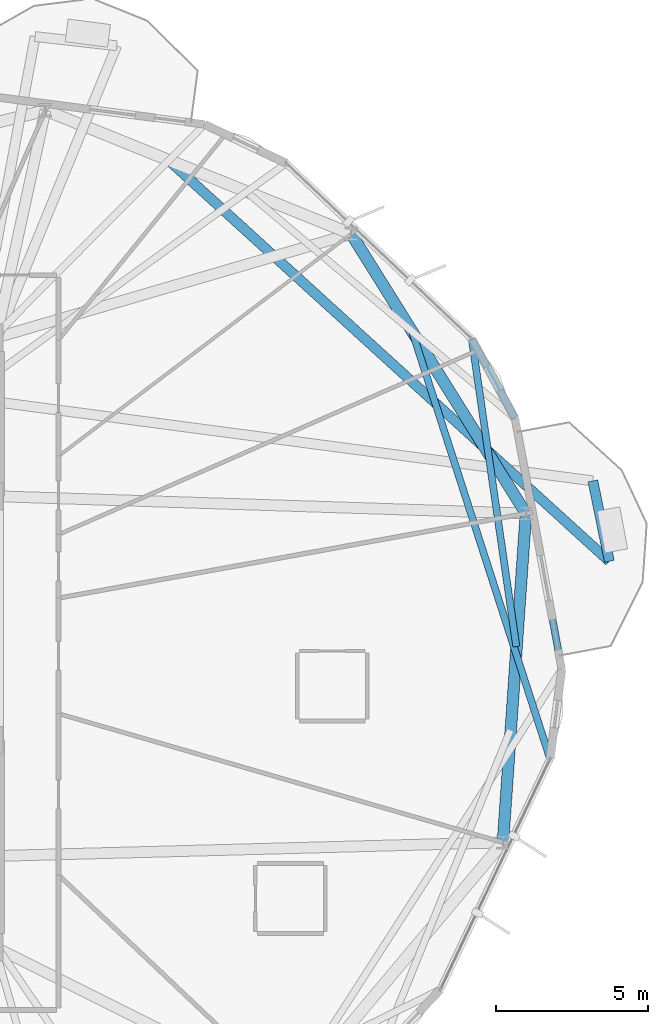
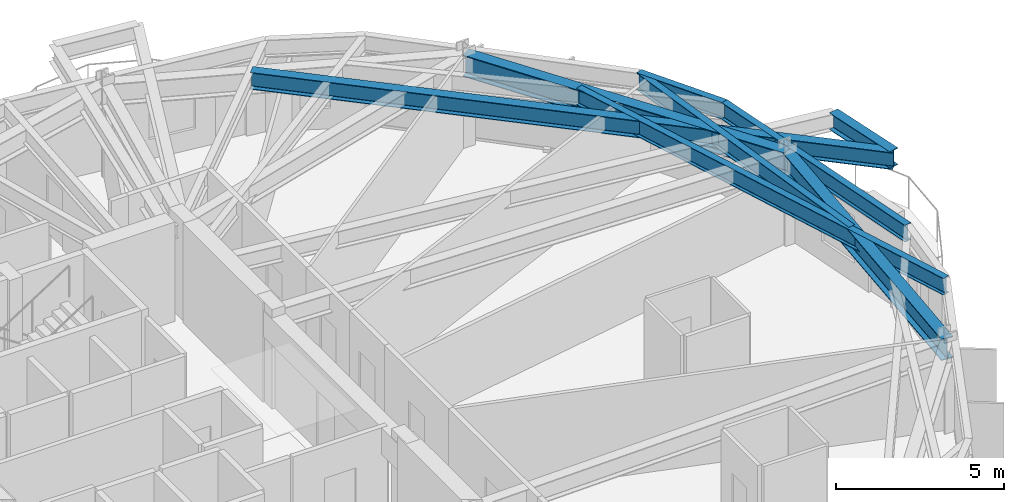
# One storey, part 11 of 23: 8 beams.
"""IFC4 building model written with IfcOpenShell, lengths in metres."""

from ifc_helpers import new_model, si_unit, direction, frame, origin, origin_2d, place, context, subcontext, project, spatial, i_section, extrude, material, material_profile, profile_set, type_object, element, save


model = new_model("IFC4")

# Units and contexts
model_context = context("Model", 3, precision=1e-05, world=origin(), true_north=direction((0.0, 1.0)))
body_context = subcontext(model_context, "Body", "Model", "MODEL_VIEW")
ifc_project = project(units=[si_unit("LENGTHUNIT", "METRE"), si_unit("AREAUNIT", "SQUARE_METRE"), si_unit("VOLUMEUNIT", "CUBIC_METRE"), si_unit("PLANEANGLEUNIT", "RADIAN"), si_unit("MASSUNIT", "GRAM", prefix="KILO")], contexts=[model_context])

# Site, building, storey
site_placement = place(None, origin())
site = spatial("IfcSite", under=ifc_project, at=site_placement, CompositionType="ELEMENT")
building_placement = place(site_placement, origin())
building = spatial("IfcBuilding", under=site, at=building_placement, Name="Soratama Intermodal Tower", CompositionType="ELEMENT")
storey_placement = place(building_placement, frame((0.0, 0.0, 139.0)))
storey = spatial("IfcBuildingStorey", under=building, at=storey_placement, Name="L33", CompositionType="ELEMENT", Elevation=139.0)

# Beams
ifc_material_1 = material(Name="Structural steel ASTM A992 Grade 50", Category="steel")
ifc_material_profile_1 = material_profile(ifc_material_1, i_section(OverallWidth=0.324951171875, OverallDepth=0.615966796875, WebThickness=0.013916015625, FlangeThickness=0.021484375, FilletRadius=0.013916015625, at=origin_2d()), Name="W24X117")
ifc_profile_set_1 = profile_set([ifc_material_profile_1], Name="Structural steel ASTM A992 Grade 50")
beam_type_1 = type_object("IfcBeamType", Name="BM-CANT-W24X117", PredefinedType="BEAM", material=ifc_profile_set_1)
beam_1_placement = place(storey_placement, frame((64.717041015625, 27.6650390625, 2.991943359375), z_axis=(-0.200837101372, 0.979624651952, 0.0), x_axis=(-0.979624651952, -0.200837101372, 0.0)))
element("IfcBeam", 1, at=beam_1_placement, inside=storey, type_object=beam_type_1, Name="BM-L33-CBHDR-1", PredefinedType="BEAM", context=body_context, shape_type="SweptSolid", body=[
    extrude(i_section(OverallWidth=0.324951171875, OverallDepth=0.615966796875, WebThickness=0.013916015625, FlangeThickness=0.021484375, FilletRadius=0.013916015625, at=origin_2d()), origin(), (0.0, 0.0, 1.0), 2.69384765625),
])
beam_2_placement = place(storey_placement, frame((50.281005859375, 40.802001953125, 2.991943359375), z_axis=(0.739600960346, -0.673045629549, 0.0), x_axis=(0.673045629549, 0.739600960346, 0.0)))
element("IfcBeam", 2, at=beam_2_placement, inside=storey, type_object=beam_type_1, Name="BM-L33-CANT-1-1", PredefinedType="BEAM", context=body_context, shape_type="SweptSolid", body=[
    extrude(i_section(OverallWidth=0.324951171875, OverallDepth=0.615966796875, WebThickness=0.013916015625, FlangeThickness=0.021484375, FilletRadius=0.013916015625, at=origin_2d()), origin(), (0.0, 0.0, 1.0), 19.518798828125),
])
ifc_material_2 = material(Name="Structural steel ASTM A992 Grade 50", Category="steel")
ifc_material_profile_2 = material_profile(ifc_material_2, i_section(OverallWidth=0.382080078125, OverallDepth=0.779052734375, WebThickness=0.01806640625, FlangeThickness=0.030029296875, FilletRadius=0.01806640625, at=origin_2d()), Name="W30X191")
ifc_profile_set_2 = profile_set([ifc_material_profile_2], Name="Structural steel ASTM A992 Grade 50")
beam_type_2 = type_object("IfcBeamType", Name="BM-RING-W30X191", PredefinedType="BEAM", material=ifc_profile_set_2)
beam_3_placement = place(storey_placement, frame((61.97998046875, 29.23388671875, 2.910400390625), z_axis=(-0.529891394359, 0.84806551055, 0.0), x_axis=(-0.84806551055, -0.529891394359, 0.0)))
element("IfcBeam", 3, at=beam_3_placement, inside=storey, type_object=beam_type_2, Name="BM-L33-RING-01", PredefinedType="BEAM", context=body_context, shape_type="SweptSolid", body=[
    extrude(i_section(OverallWidth=0.382080078125, OverallDepth=0.779052734375, WebThickness=0.01806640625, FlangeThickness=0.030029296875, FilletRadius=0.01806640625, at=origin_2d()), origin(), (0.0, 0.0, 1.0), 10.8154296875),
])
beam_4_placement = place(storey_placement, frame((61.22607421875, 18.444091796875, 2.910400390625), z_axis=(0.069702217409, 0.99756784275, 0.0), x_axis=(-0.99756784275, 0.069702217409, 0.0)))
element("IfcBeam", 4, at=beam_4_placement, inside=storey, type_object=beam_type_2, Name="BM-L33-RING-10", PredefinedType="BEAM", context=body_context, shape_type="SweptSolid", body=[
    extrude(i_section(OverallWidth=0.382080078125, OverallDepth=0.779052734375, WebThickness=0.01806640625, FlangeThickness=0.030029296875, FilletRadius=0.01806640625, at=origin_2d()), origin(), (0.0, 0.0, 1.0), 10.816162109375),
])
ifc_material_3 = material(Name="Structural steel ASTM A992 Grade 50", Category="steel")
ifc_material_profile_3 = material_profile(ifc_material_3, i_section(OverallWidth=0.22900390625, OverallDepth=0.612060546875, WebThickness=0.011962890625, FlangeThickness=0.01953125, FilletRadius=0.012939453125, at=origin_2d()), Name="W24X84")
ifc_profile_set_3 = profile_set([ifc_material_profile_3], Name="Structural steel ASTM A992 Grade 50")
beam_type_3 = type_object("IfcBeamType", Name="BM-SPN-W24X84", PredefinedType="SPANDREL", material=ifc_profile_set_3)
beam_5_placement = place(storey_placement, frame((63.157958984375, 24.125, 2.993896484375), z_axis=(-0.183257123834, 0.983065016448, 0.0), x_axis=(-0.983065016448, -0.183257123834, 0.0)))
element("IfcBeam", 5, at=beam_5_placement, inside=storey, type_object=beam_type_3, Name="BS-L33-F10", PredefinedType="SPANDREL", context=body_context, shape_type="SweptSolid", body=[
    extrude(i_section(OverallWidth=0.22900390625, OverallDepth=0.612060546875, WebThickness=0.011962890625, FlangeThickness=0.01953125, FilletRadius=0.012939453125, at=origin_2d()), origin(), (0.0, 0.0, 1.0), 8.375732421875),
])
beam_6_placement = place(storey_placement, frame((61.623046875, 32.35888671875, 2.993896484375), z_axis=(-0.478171792024, 0.87826632482, 0.0), x_axis=(-0.87826632482, -0.478171792024, 0.0)))
element("IfcBeam", 6, at=beam_6_placement, inside=storey, type_object=beam_type_3, Name="BS-L33-CRN10", PredefinedType="SPANDREL", context=body_context, shape_type="SweptSolid", body=[
    extrude(i_section(OverallWidth=0.22900390625, OverallDepth=0.612060546875, WebThickness=0.011962890625, FlangeThickness=0.01953125, FilletRadius=0.012939453125, at=origin_2d()), origin(), (0.0, 0.0, 1.0), 2.967529296875),
])
ifc_material_4 = material(Name="Structural steel ASTM A992 Grade 50", Category="steel")
ifc_material_profile_4 = material_profile(ifc_material_4, i_section(OverallWidth=0.22900390625, OverallDepth=0.612060546875, WebThickness=0.011962890625, FlangeThickness=0.01953125, FilletRadius=0.012939453125, at=origin_2d()), Name="W24X84")
ifc_profile_set_4 = profile_set([ifc_material_profile_4], Name="Structural steel ASTM A992 Grade 50")
beam_type_4 = type_object("IfcBeamType", Name="BM-TIE-W24X84", PredefinedType="BEAM", material=ifc_profile_set_4)
beam_7_placement = place(storey_placement, frame((61.666015625, 24.867919921875, 2.993896484375), z_axis=(-0.143290484966, 0.989680674217, 0.0), x_axis=(-0.989680674217, -0.143290484966, 0.0)))
element("IfcBeam", 7, at=beam_7_placement, inside=storey, type_object=beam_type_4, Name="BM-L33-TIE0-01", PredefinedType="BEAM", context=body_context, shape_type="SweptSolid", body=[
    extrude(i_section(OverallWidth=0.22900390625, OverallDepth=0.612060546875, WebThickness=0.011962890625, FlangeThickness=0.01953125, FilletRadius=0.012939453125, at=origin_2d()), origin(), (0.0, 0.0, 1.0), 10.202392578125),
])
beam_8_placement = place(storey_placement, frame((58.262939453125, 35.1630859375, 2.993896484375), z_axis=(0.307023660747, -0.951701881758, 0.0), x_axis=(0.951701881758, 0.307023660747, 0.0)))
element("IfcBeam", 8, at=beam_8_placement, inside=storey, type_object=beam_type_4, Name="BM-L33-TIE1-09", PredefinedType="BEAM", context=body_context, shape_type="SweptSolid", body=[
    extrude(i_section(OverallWidth=0.22900390625, OverallDepth=0.612060546875, WebThickness=0.011962890625, FlangeThickness=0.01953125, FilletRadius=0.012939453125, at=origin_2d()), origin(), (0.0, 0.0, 1.0), 14.689453125),
])

save(model, "model.ifc")
